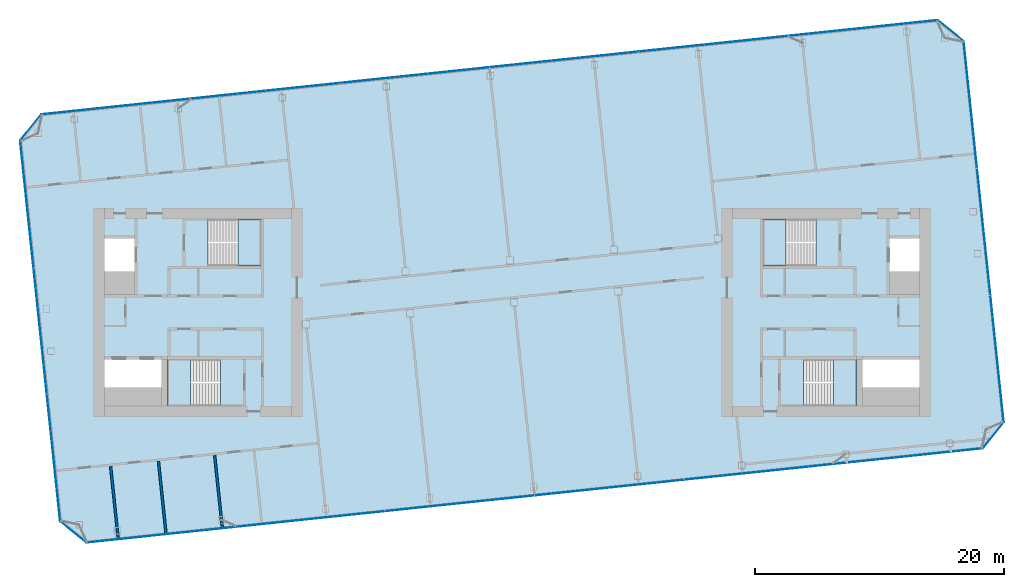
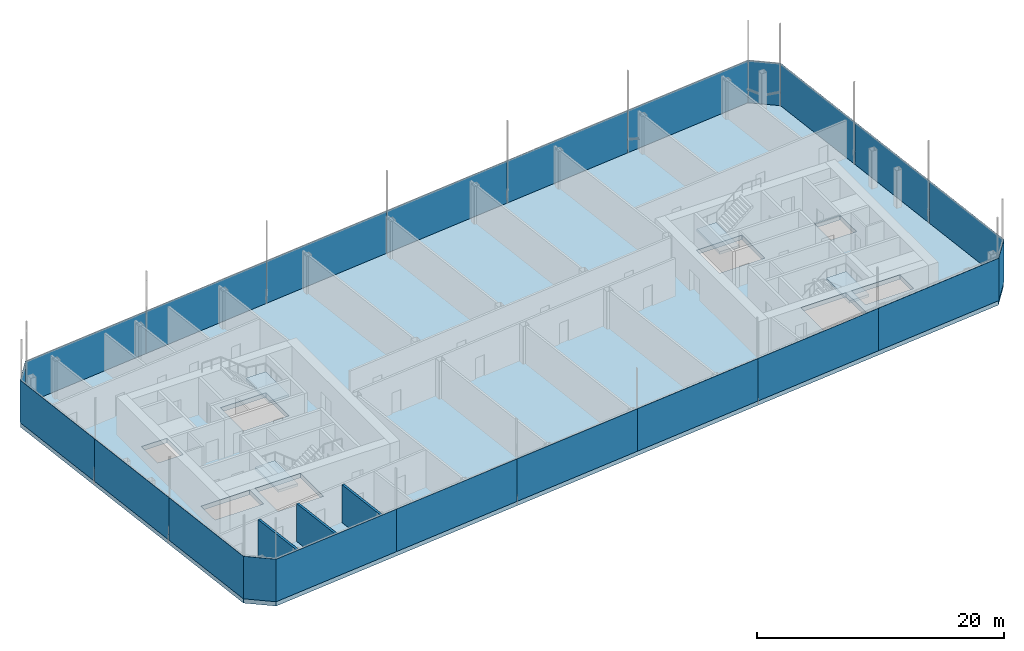
# One storey, part 16 of 41: 22 plates, 5 slabs, 3 walls, 16 elements without a shape of their own.
"""IFC4 building model written with IfcOpenShell, lengths in metres."""

from ifc_helpers import new_model, si_unit, direction, frame, frame_2d, origin, origin_2d, place, context, subcontext, project, spatial, polyline, rectangle, outline, extrude, material, layer, layer_set, type_object, element, aggregate, save


model = new_model("IFC4")

# Units and contexts
model_context = context("Model", 3, precision=1e-05, world=origin(), true_north=direction((0.0, 1.0)))
body_context = subcontext(model_context, "Body", "Model", "MODEL_VIEW")
ifc_project = project(units=[si_unit("LENGTHUNIT", "METRE"), si_unit("AREAUNIT", "SQUARE_METRE"), si_unit("VOLUMEUNIT", "CUBIC_METRE"), si_unit("PLANEANGLEUNIT", "RADIAN"), si_unit("MASSUNIT", "GRAM", prefix="KILO")], contexts=[model_context])

# Site, building, storey
site_placement = place(None, origin())
site = spatial("IfcSite", under=ifc_project, at=site_placement, CompositionType="ELEMENT")
building_placement = place(site_placement, origin())
building = spatial("IfcBuilding", under=site, at=building_placement, Name="Hakoniwa Tower and Hamabe Station Hall", CompositionType="ELEMENT")
storey_placement = place(building_placement, frame((0.0, 0.0, 276.60009765625)))
storey = spatial("IfcBuildingStorey", under=building, at=storey_placement, Name="L77", CompositionType="ELEMENT", Elevation=276.60009765625)

# Stair, slab
ifc_material_1 = material(Name="Concrete C40", Category="concrete")
stair_type = type_object("IfcStairType", Name="ESCAPE STAIR 1800", PredefinedType="HALF_TURN_STAIR", material=ifc_material_1)
stair_1_placement = place(storey_placement, origin())
stair_1 = element("IfcStair", 1, at=stair_1_placement, inside=storey, type_object=stair_type, Name="Escape stair ST-1 L77", PredefinedType="HALF_TURN_STAIR")
ifc_material_2 = material(Name="Concrete C40", Category="concrete")
ifc_layer_1 = layer(ifc_material_2, 0.25)
ifc_layer_set_1 = layer_set([ifc_layer_1], Name="CORE STAIR LANDING 250")
slab_type_1 = type_object("IfcSlabType", Name="CORE STAIR LANDING 250", PredefinedType="LANDING", material=ifc_layer_set_1)
slab_1_placement = place(storey_placement, frame((0.0, 0.0, 1.849853515625)))
slab_1 = element("IfcSlab", 2, at=slab_1_placement, type_object=slab_type_1, Name="ST-1 landing 1", PredefinedType="LANDING", context=body_context, shape_type="SweptSolid", body=[
    extrude(outline(polyline([(-22.0, 3.75), (-20.14990234375, 3.75), (-20.14990234375, 7.5), (-22.0, 7.5), (-22.0, 3.75)])), origin(), (0.0, 0.0, 1.0), 0.25),
])
aggregate(stair_1, [slab_1])

stair_2_placement = place(storey_placement, origin())
stair_2 = element("IfcStair", 3, at=stair_2_placement, inside=storey, type_object=stair_type, Name="Escape stair ST-2 L77", PredefinedType="HALF_TURN_STAIR")
slab_2_placement = place(storey_placement, frame((0.0, 0.0, 1.849853515625)))
slab_2 = element("IfcSlab", 4, at=slab_2_placement, type_object=slab_type_1, Name="ST-2 landing 1", PredefinedType="LANDING", context=body_context, shape_type="SweptSolid", body=[
    extrude(outline(polyline([(-25.800048828125, -7.5), (-27.64990234375, -7.5), (-27.64990234375, -3.75), (-25.800048828125, -3.75), (-25.800048828125, -7.5)])), origin(), (0.0, 0.0, 1.0), 0.25),
])
aggregate(stair_2, [slab_2])

stair_3_placement = place(storey_placement, origin())
stair_3 = element("IfcStair", 5, at=stair_3_placement, inside=storey, type_object=stair_type, Name="Escape stair ST-3 L77", PredefinedType="HALF_TURN_STAIR")
slab_3_placement = place(storey_placement, frame((0.0, 0.0, 1.849853515625)))
slab_3 = element("IfcSlab", 6, at=slab_3_placement, type_object=slab_type_1, Name="ST-3 landing 1", PredefinedType="LANDING", context=body_context, shape_type="SweptSolid", body=[
    extrude(outline(polyline([(22.0, 3.75), (20.14990234375, 3.75), (20.14990234375, 7.5), (22.0, 7.5), (22.0, 3.75)])), origin(), (0.0, 0.0, 1.0), 0.25),
])
aggregate(stair_3, [slab_3])

stair_4_placement = place(storey_placement, origin())
stair_4 = element("IfcStair", 7, at=stair_4_placement, inside=storey, type_object=stair_type, Name="Escape stair ST-4 L77", PredefinedType="HALF_TURN_STAIR")
slab_4_placement = place(storey_placement, frame((0.0, 0.0, 1.849853515625)))
slab_4 = element("IfcSlab", 8, at=slab_4_placement, type_object=slab_type_1, Name="ST-4 landing 1", PredefinedType="LANDING", context=body_context, shape_type="SweptSolid", body=[
    extrude(outline(polyline([(25.800048828125, -7.5), (27.64990234375, -7.5), (27.64990234375, -3.75), (25.800048828125, -3.75), (25.800048828125, -7.5)])), origin(), (0.0, 0.0, 1.0), 0.25),
])
aggregate(stair_4, [slab_4])

# Slab
ifc_material_3 = material(Name="Concrete C40", Category="concrete")
ifc_layer_2 = layer(ifc_material_3, 0.449951171875)
ifc_layer_set_2 = layer_set([ifc_layer_2], Name="CROWN FLOOR SLAB 450")
slab_type_2 = type_object("IfcSlabType", Name="CROWN FLOOR SLAB 450", PredefinedType="FLOOR", material=ifc_layer_set_2)
slab_5_placement = place(storey_placement, frame((0.0, 0.0, -0.4501953125)))
element("IfcSlab", 9, at=slab_5_placement, inside=storey, type_object=slab_type_2, Name="Floor slab L77", PredefinedType="FLOOR", context=body_context, shape_type="SweptSolid", body=[
    extrude(outline(polyline([(36.25390625, 21.772705078125), (34.17431640625, 23.45703125), (-37.78466796875, 15.893798828125), (-39.46875, 13.81396484375), (-36.25390625, -16.772705078125), (-34.17431640625, -18.45703125), (37.78466796875, -10.893798828125), (39.46875, -8.81396484375), (36.25390625, 21.772705078125)]), holes=[polyline([(-32.699951171875, 3.300048828125), (-32.699951171875, 5.949951171875), (-30.300048828125, 5.949951171875), (-30.300048828125, 3.300048828125), (-32.699951171875, 3.300048828125)]), polyline([(-32.699951171875, -6.0), (-32.699951171875, -3.75), (-28.14990234375, -3.75), (-28.14990234375, -6.0), (-32.699951171875, -6.0)]), polyline([(-24.389892578125, 3.75), (-24.389892578125, 7.5), (-20.14990234375, 7.5), (-20.14990234375, 3.75), (-24.389892578125, 3.75)]), polyline([(-27.64990234375, -7.5), (-27.64990234375, -3.75), (-23.409912109375, -3.75), (-23.409912109375, -7.5), (-27.64990234375, -7.5)]), polyline([(30.300048828125, 3.300048828125), (30.300048828125, 5.949951171875), (32.699951171875, 5.949951171875), (32.699951171875, 3.300048828125), (30.300048828125, 3.300048828125)]), polyline([(28.14990234375, -6.0), (28.14990234375, -3.75), (32.699951171875, -3.75), (32.699951171875, -6.0), (28.14990234375, -6.0)]), polyline([(20.14990234375, 3.75), (20.14990234375, 7.5), (24.389892578125, 7.5), (24.389892578125, 3.75), (20.14990234375, 3.75)]), polyline([(23.409912109375, -7.5), (23.409912109375, -3.75), (27.64990234375, -3.75), (27.64990234375, -7.5), (23.409912109375, -7.5)])]), origin(), (0.0, 0.0, 1.0), 0.4501953125),
])

# Curtain wall, plate
ifc_material_4 = material(Name="Dark low-e laminated glass", Category="glass")
ifc_layer_3 = layer(ifc_material_4, 0.199951171875)
ifc_layer_set_3 = layer_set([ifc_layer_3], Name="CW-4 CROWN FACETS")
curtain_wall_type = type_object("IfcCurtainWallType", Name="CW-4 CROWN FACETS", PredefinedType="NOTDEFINED", material=ifc_layer_set_3)
curtain_wall_1_placement = place(storey_placement, origin())
curtain_wall_1 = element("IfcCurtainWall", 10, at=curtain_wall_1_placement, inside=storey, type_object=curtain_wall_type, Name="Crown skirt facet L77", PredefinedType="NOTDEFINED")
ifc_material_5 = material(Name="Dark low-e laminated glass", Category="glass")
ifc_layer_4 = layer(ifc_material_5, 0.030029296875)
ifc_layer_set_4 = layer_set([ifc_layer_4], Name="CW-4 CROWN GLASS FACET")
plate_type = type_object("IfcPlateType", Name="CW-4 CROWN GLASS FACET", PredefinedType="CURTAIN_PANEL", material=ifc_layer_set_4)
plate_1_placement = place(storey_placement, frame((35.2236328125, 22.62646484375, 0.0), z_axis=(0.0, 0.0, 1.0), x_axis=(-0.777146049239, 0.629320282648, 0.0)))
plate_1 = element("IfcPlate", 11, at=plate_1_placement, type_object=plate_type, Name="Crown glass facet", PredefinedType="CURTAIN_PANEL", context=body_context, shape_type="SweptSolid", body=[
    extrude(rectangle(XDim=2.701171875, YDim=0.030029296875, at=origin_2d()), origin(), (0.0, 0.0, 1.0), 4.199951171875),
])
aggregate(curtain_wall_1, [plate_1])

# Curtain wall, plates
curtain_wall_2_placement = place(storey_placement, origin())
curtain_wall_2 = element("IfcCurtainWall", 12, at=curtain_wall_2_placement, inside=storey, type_object=curtain_wall_type, Name="Crown skirt facet L77", PredefinedType="NOTDEFINED")
plate_2_placement = place(storey_placement, frame((28.186279296875, 22.8427734375, 0.0), z_axis=(0.0, 0.0, 1.0), x_axis=(-0.994521896233, -0.10452845504, 0.0)))
plate_2 = element("IfcPlate", 13, at=plate_2_placement, type_object=plate_type, Name="Crown glass facet", PredefinedType="CURTAIN_PANEL", context=body_context, shape_type="SweptSolid", body=[
    extrude(rectangle(XDim=12.063232421875, YDim=0.030029296875, at=origin_2d()), origin(), (0.0, 0.0, 1.0), 4.199951171875),
])
plate_3_placement = place(storey_placement, frame((4.19189453125, 20.32080078125, 0.0), z_axis=(0.0, 0.0, 1.0), x_axis=(-0.994521896233, -0.10452845504, 0.0)))
plate_3 = element("IfcPlate", 14, at=plate_3_placement, type_object=plate_type, Name="Crown glass facet", PredefinedType="CURTAIN_PANEL", context=body_context, shape_type="SweptSolid", body=[
    extrude(rectangle(XDim=12.063232421875, YDim=0.030029296875, at=origin_2d()), origin(), (0.0, 0.0, 1.0), 4.199951171875),
])
plate_4_placement = place(storey_placement, frame((-19.802734375, 17.798828125, 0.0), z_axis=(0.0, 0.0, 1.0), x_axis=(-0.994521896233, -0.10452845504, 0.0)))
plate_4 = element("IfcPlate", 15, at=plate_4_placement, type_object=plate_type, Name="Crown glass facet", PredefinedType="CURTAIN_PANEL", context=body_context, shape_type="SweptSolid", body=[
    extrude(rectangle(XDim=12.063232421875, YDim=0.030029296875, at=origin_2d()), origin(), (0.0, 0.0, 1.0), 4.199951171875),
])
aggregate(curtain_wall_2, [plate_2, plate_3, plate_4])

curtain_wall_3_placement = place(storey_placement, origin())
curtain_wall_3 = element("IfcCurtainWall", 16, at=curtain_wall_3_placement, inside=storey, type_object=curtain_wall_type, Name="Crown skirt facet L77", PredefinedType="NOTDEFINED")
plate_5_placement = place(storey_placement, frame((16.189208984375, 21.581787109375, 0.0), z_axis=(0.0, 0.0, 1.0), x_axis=(-0.994521896233, -0.10452845504, 0.0)))
plate_5 = element("IfcPlate", 17, at=plate_5_placement, type_object=plate_type, Name="Crown glass facet", PredefinedType="CURTAIN_PANEL", context=body_context, shape_type="SweptSolid", body=[
    extrude(rectangle(XDim=12.063232421875, YDim=0.030029296875, at=origin_2d()), origin(), (0.0, 0.0, 1.0), 4.199951171875),
])
plate_6_placement = place(storey_placement, frame((-7.805419921875, 19.059814453125, 0.0), z_axis=(0.0, 0.0, 1.0), x_axis=(-0.994521896233, -0.10452845504, 0.0)))
plate_6 = element("IfcPlate", 18, at=plate_6_placement, type_object=plate_type, Name="Crown glass facet", PredefinedType="CURTAIN_PANEL", context=body_context, shape_type="SweptSolid", body=[
    extrude(rectangle(XDim=12.063232421875, YDim=0.030029296875, at=origin_2d()), origin(), (0.0, 0.0, 1.0), 4.199951171875),
])
plate_7_placement = place(storey_placement, frame((-31.7998046875, 16.537841796875, 0.0), z_axis=(0.0, 0.0, 1.0), x_axis=(-0.994521896233, -0.10452845504, 0.0)))
plate_7 = element("IfcPlate", 19, at=plate_7_placement, type_object=plate_type, Name="Crown glass facet", PredefinedType="CURTAIN_PANEL", context=body_context, shape_type="SweptSolid", body=[
    extrude(rectangle(XDim=12.063232421875, YDim=0.030029296875, at=origin_2d()), origin(), (0.0, 0.0, 1.0), 4.199951171875),
])
aggregate(curtain_wall_3, [plate_5, plate_6, plate_7])

# Curtain wall, plate
curtain_wall_4_placement = place(storey_placement, origin())
curtain_wall_4 = element("IfcCurtainWall", 20, at=curtain_wall_4_placement, inside=storey, type_object=curtain_wall_type, Name="Crown skirt facet L77", PredefinedType="NOTDEFINED")
plate_8_placement = place(storey_placement, frame((-38.638427734375, 14.86328125, 0.0), z_axis=(0.0, 0.0, 1.0), x_axis=(-0.62932019759, -0.777146118118, 0.0)))
plate_8 = element("IfcPlate", 21, at=plate_8_placement, type_object=plate_type, Name="Crown glass facet", PredefinedType="CURTAIN_PANEL", context=body_context, shape_type="SweptSolid", body=[
    extrude(rectangle(XDim=2.701171875, YDim=0.030029296875, at=origin_2d()), origin(), (0.0, 0.0, 1.0), 4.199951171875),
])
aggregate(curtain_wall_4, [plate_8])

# Curtain wall, plates
curtain_wall_5_placement = place(storey_placement, origin())
curtain_wall_5 = element("IfcCurtainWall", 22, at=curtain_wall_5_placement, inside=storey, type_object=curtain_wall_type, Name="Crown skirt facet L77", PredefinedType="NOTDEFINED")
plate_9_placement = place(storey_placement, frame((-38.94873046875, 8.722900390625, 0.0), z_axis=(0.0, 0.0, 1.0), x_axis=(0.104528443376, -0.994521897459, 0.0)))
plate_9 = element("IfcPlate", 23, at=plate_9_placement, type_object=plate_type, Name="Crown glass facet", PredefinedType="CURTAIN_PANEL", context=body_context, shape_type="SweptSolid", body=[
    extrude(rectangle(XDim=10.260009765625, YDim=0.030029296875, at=origin_2d()), origin(), (0.0, 0.0, 1.0), 4.199951171875),
])
plate_10_placement = place(storey_placement, frame((-36.803955078125, -11.684814453125, 0.0), z_axis=(0.0, 0.0, 1.0), x_axis=(0.104528443376, -0.994521897459, 0.0)))
plate_10 = element("IfcPlate", 24, at=plate_10_placement, type_object=plate_type, Name="Crown glass facet", PredefinedType="CURTAIN_PANEL", context=body_context, shape_type="SweptSolid", body=[
    extrude(rectangle(XDim=10.260009765625, YDim=0.030029296875, at=origin_2d()), origin(), (0.0, 0.0, 1.0), 4.199951171875),
])
aggregate(curtain_wall_5, [plate_9, plate_10])

# Curtain wall, plate
curtain_wall_6_placement = place(storey_placement, origin())
curtain_wall_6 = element("IfcCurtainWall", 25, at=curtain_wall_6_placement, inside=storey, type_object=curtain_wall_type, Name="Crown skirt facet L77", PredefinedType="NOTDEFINED")
plate_11_placement = place(storey_placement, frame((-37.87646484375, -1.48095703125, 0.0), z_axis=(0.0, 0.0, 1.0), x_axis=(0.104528443376, -0.994521897459, 0.0)))
plate_11 = element("IfcPlate", 26, at=plate_11_placement, type_object=plate_type, Name="Crown glass facet", PredefinedType="CURTAIN_PANEL", context=body_context, shape_type="SweptSolid", body=[
    extrude(rectangle(XDim=10.260009765625, YDim=0.030029296875, at=origin_2d()), origin(), (0.0, 0.0, 1.0), 4.199951171875),
])
aggregate(curtain_wall_6, [plate_11])

curtain_wall_7_placement = place(storey_placement, origin())
curtain_wall_7 = element("IfcCurtainWall", 27, at=curtain_wall_7_placement, inside=storey, type_object=curtain_wall_type, Name="Crown skirt facet L77", PredefinedType="NOTDEFINED")
plate_12_placement = place(storey_placement, frame((-35.2236328125, -17.62646484375, 0.0), z_axis=(0.0, 0.0, 1.0), x_axis=(0.777146049239, -0.629320282648, 0.0)))
plate_12 = element("IfcPlate", 28, at=plate_12_placement, type_object=plate_type, Name="Crown glass facet", PredefinedType="CURTAIN_PANEL", context=body_context, shape_type="SweptSolid", body=[
    extrude(rectangle(XDim=2.701171875, YDim=0.030029296875, at=origin_2d()), origin(), (0.0, 0.0, 1.0), 4.199951171875),
])
aggregate(curtain_wall_7, [plate_12])

# Curtain wall, plates
curtain_wall_8_placement = place(storey_placement, origin())
curtain_wall_8 = element("IfcCurtainWall", 29, at=curtain_wall_8_placement, inside=storey, type_object=curtain_wall_type, Name="Crown skirt facet L77", PredefinedType="NOTDEFINED")
plate_13_placement = place(storey_placement, frame((-28.186279296875, -17.8427734375, 0.0), z_axis=(0.0, 0.0, 1.0), x_axis=(0.994521896233, 0.10452845504, 0.0)))
plate_13 = element("IfcPlate", 30, at=plate_13_placement, type_object=plate_type, Name="Crown glass facet", PredefinedType="CURTAIN_PANEL", context=body_context, shape_type="SweptSolid", body=[
    extrude(rectangle(XDim=12.063232421875, YDim=0.030029296875, at=origin_2d()), origin(), (0.0, 0.0, 1.0), 4.199951171875),
])
plate_14_placement = place(storey_placement, frame((-4.19189453125, -15.32080078125, 0.0), z_axis=(0.0, 0.0, 1.0), x_axis=(0.994521896233, 0.10452845504, 0.0)))
plate_14 = element("IfcPlate", 31, at=plate_14_placement, type_object=plate_type, Name="Crown glass facet", PredefinedType="CURTAIN_PANEL", context=body_context, shape_type="SweptSolid", body=[
    extrude(rectangle(XDim=12.063232421875, YDim=0.030029296875, at=origin_2d()), origin(), (0.0, 0.0, 1.0), 4.199951171875),
])
plate_15_placement = place(storey_placement, frame((19.802734375, -12.798828125, 0.0), z_axis=(0.0, 0.0, 1.0), x_axis=(0.994521896233, 0.10452845504, 0.0)))
plate_15 = element("IfcPlate", 32, at=plate_15_placement, type_object=plate_type, Name="Crown glass facet", PredefinedType="CURTAIN_PANEL", context=body_context, shape_type="SweptSolid", body=[
    extrude(rectangle(XDim=12.063232421875, YDim=0.030029296875, at=origin_2d()), origin(), (0.0, 0.0, 1.0), 4.199951171875),
])
aggregate(curtain_wall_8, [plate_13, plate_14, plate_15])

curtain_wall_9_placement = place(storey_placement, origin())
curtain_wall_9 = element("IfcCurtainWall", 33, at=curtain_wall_9_placement, inside=storey, type_object=curtain_wall_type, Name="Crown skirt facet L77", PredefinedType="NOTDEFINED")
plate_16_placement = place(storey_placement, frame((-16.189208984375, -16.581787109375, 0.0), z_axis=(0.0, 0.0, 1.0), x_axis=(0.994521896233, 0.10452845504, 0.0)))
plate_16 = element("IfcPlate", 34, at=plate_16_placement, type_object=plate_type, Name="Crown glass facet", PredefinedType="CURTAIN_PANEL", context=body_context, shape_type="SweptSolid", body=[
    extrude(rectangle(XDim=12.063232421875, YDim=0.030029296875, at=origin_2d()), origin(), (0.0, 0.0, 1.0), 4.199951171875),
])
plate_17_placement = place(storey_placement, frame((7.805419921875, -14.059814453125, 0.0), z_axis=(0.0, 0.0, 1.0), x_axis=(0.994521896233, 0.10452845504, 0.0)))
plate_17 = element("IfcPlate", 35, at=plate_17_placement, type_object=plate_type, Name="Crown glass facet", PredefinedType="CURTAIN_PANEL", context=body_context, shape_type="SweptSolid", body=[
    extrude(rectangle(XDim=12.063232421875, YDim=0.030029296875, at=origin_2d()), origin(), (0.0, 0.0, 1.0), 4.199951171875),
])
plate_18_placement = place(storey_placement, frame((31.7998046875, -11.537841796875, 0.0), z_axis=(0.0, 0.0, 1.0), x_axis=(0.994521896233, 0.10452845504, 0.0)))
plate_18 = element("IfcPlate", 36, at=plate_18_placement, type_object=plate_type, Name="Crown glass facet", PredefinedType="CURTAIN_PANEL", context=body_context, shape_type="SweptSolid", body=[
    extrude(rectangle(XDim=12.063232421875, YDim=0.030029296875, at=origin_2d()), origin(), (0.0, 0.0, 1.0), 4.199951171875),
])
aggregate(curtain_wall_9, [plate_16, plate_17, plate_18])

# Curtain wall, plate
curtain_wall_10_placement = place(storey_placement, origin())
curtain_wall_10 = element("IfcCurtainWall", 37, at=curtain_wall_10_placement, inside=storey, type_object=curtain_wall_type, Name="Crown skirt facet L77", PredefinedType="NOTDEFINED")
plate_19_placement = place(storey_placement, frame((38.638427734375, -9.86328125, 0.0), z_axis=(0.0, 0.0, 1.0), x_axis=(0.62932019759, 0.777146118118, 0.0)))
plate_19 = element("IfcPlate", 38, at=plate_19_placement, type_object=plate_type, Name="Crown glass facet", PredefinedType="CURTAIN_PANEL", context=body_context, shape_type="SweptSolid", body=[
    extrude(rectangle(XDim=2.701171875, YDim=0.030029296875, at=origin_2d()), origin(), (0.0, 0.0, 1.0), 4.199951171875),
])
aggregate(curtain_wall_10, [plate_19])

# Curtain wall, plates
curtain_wall_11_placement = place(storey_placement, origin())
curtain_wall_11 = element("IfcCurtainWall", 39, at=curtain_wall_11_placement, inside=storey, type_object=curtain_wall_type, Name="Crown skirt facet L77", PredefinedType="NOTDEFINED")
plate_20_placement = place(storey_placement, frame((38.94873046875, -3.722900390625, 0.0), z_axis=(0.0, 0.0, 1.0), x_axis=(-0.104528443376, 0.994521897459, 0.0)))
plate_20 = element("IfcPlate", 40, at=plate_20_placement, type_object=plate_type, Name="Crown glass facet", PredefinedType="CURTAIN_PANEL", context=body_context, shape_type="SweptSolid", body=[
    extrude(rectangle(XDim=10.260009765625, YDim=0.030029296875, at=origin_2d()), origin(), (0.0, 0.0, 1.0), 4.199951171875),
])
plate_21_placement = place(storey_placement, frame((36.803955078125, 16.684814453125, 0.0), z_axis=(0.0, 0.0, 1.0), x_axis=(-0.104528443376, 0.994521897459, 0.0)))
plate_21 = element("IfcPlate", 41, at=plate_21_placement, type_object=plate_type, Name="Crown glass facet", PredefinedType="CURTAIN_PANEL", context=body_context, shape_type="SweptSolid", body=[
    extrude(rectangle(XDim=10.260009765625, YDim=0.030029296875, at=origin_2d()), origin(), (0.0, 0.0, 1.0), 4.199951171875),
])
aggregate(curtain_wall_11, [plate_20, plate_21])

# Curtain wall, plate
curtain_wall_12_placement = place(storey_placement, origin())
curtain_wall_12 = element("IfcCurtainWall", 42, at=curtain_wall_12_placement, inside=storey, type_object=curtain_wall_type, Name="Crown skirt facet L77", PredefinedType="NOTDEFINED")
plate_22_placement = place(storey_placement, frame((37.87646484375, 6.48095703125, 0.0), z_axis=(0.0, 0.0, 1.0), x_axis=(-0.104528443376, 0.994521897459, 0.0)))
plate_22 = element("IfcPlate", 43, at=plate_22_placement, type_object=plate_type, Name="Crown glass facet", PredefinedType="CURTAIN_PANEL", context=body_context, shape_type="SweptSolid", body=[
    extrude(rectangle(XDim=10.260009765625, YDim=0.030029296875, at=origin_2d()), origin(), (0.0, 0.0, 1.0), 4.199951171875),
])
aggregate(curtain_wall_12, [plate_22])

# Walls
ifc_material_6 = material(Name="Fire-rated gypsum board partition", Category="gypsum")
ifc_layer_5 = layer(ifc_material_6, 0.199951171875)
ifc_layer_set_5 = layer_set([ifc_layer_5], Name="Party Wall 200")
wall_type = type_object("IfcWallType", Name="Party Wall 200", PredefinedType="PARTITIONING", material=ifc_layer_set_5)
wall_1_placement = place(storey_placement, frame((-31.607666015625, -18.21728515625, 0.0), z_axis=(0.0, 0.0, 1.0), x_axis=(-0.10453655107, 0.994521045273, 0.0)))
element("IfcWall", 44, at=wall_1_placement, inside=storey, type_object=wall_type, Name="GW-L77-007", PredefinedType="PARTITIONING", context=body_context, shape_type="SweptSolid", body=[
    extrude(rectangle(XDim=5.915771484375, YDim=0.199951171875, at=frame_2d((2.9580078125, 0.0))), origin(), (0.0, 0.0, 1.0), 3.75),
])
wall_2_placement = place(storey_placement, frame((-27.768798828125, -17.81396484375, 0.0), z_axis=(0.0, 0.0, 1.0), x_axis=(-0.104532260673, 0.994521496238, 0.0)))
element("IfcWall", 45, at=wall_2_placement, inside=storey, type_object=wall_type, Name="GW-L77-009", PredefinedType="PARTITIONING", context=body_context, shape_type="SweptSolid", body=[
    extrude(rectangle(XDim=5.916015625, YDim=0.199951171875, at=frame_2d((2.9580078125, 0.0))), origin(), (0.0, 0.0, 1.0), 3.75),
])
wall_3_placement = place(storey_placement, frame((-23.253662109375, -17.33935546875, 0.0), z_axis=(0.0, 0.0, 1.0), x_axis=(-0.10453655107, 0.994521045273, 0.0)))
element("IfcWall", 46, at=wall_3_placement, inside=storey, type_object=wall_type, Name="GW-L77-011", PredefinedType="PARTITIONING", context=body_context, shape_type="SweptSolid", body=[
    extrude(rectangle(XDim=5.915771484375, YDim=0.199951171875, at=frame_2d((2.9580078125, 0.0))), origin(), (0.0, 0.0, 1.0), 3.75),
])

save(model, "model.ifc")
